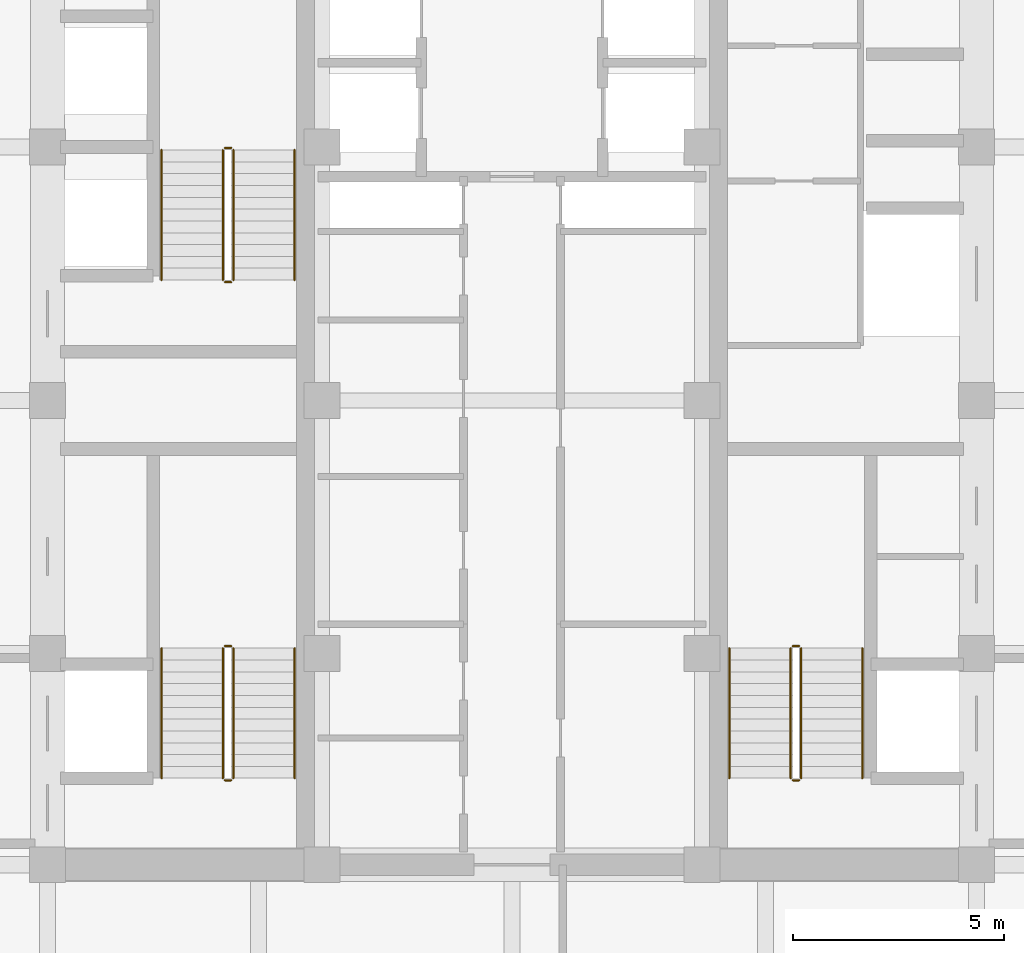
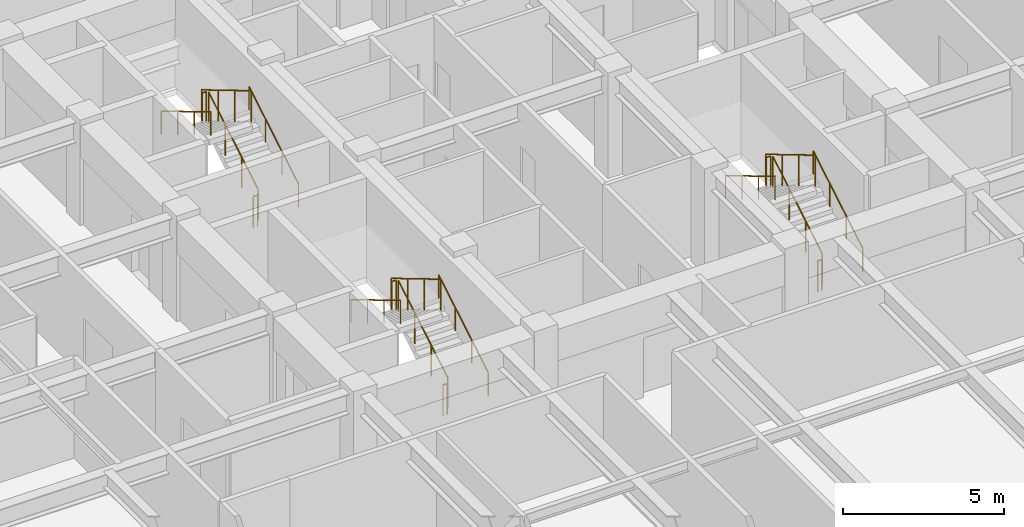
# One storey, part 24 of 24: 18 railings.
"""IFC4 building model written with IfcOpenShell, lengths in metres."""

from ifc_helpers import new_model, si_unit, direction, frame, origin, origin_2d, place, context, subcontext, project, spatial, circle, extrude, source, transform, mapped, material, type_object, element, save


model = new_model("IFC4")

# Units and contexts
model_context = context("Model", 3, precision=1e-05, world=origin(), true_north=direction((0.0, 1.0)))
body_context = subcontext(model_context, "Body", "Model", "MODEL_VIEW")
ifc_project = project(units=[si_unit("LENGTHUNIT", "METRE"), si_unit("AREAUNIT", "SQUARE_METRE"), si_unit("VOLUMEUNIT", "CUBIC_METRE"), si_unit("PLANEANGLEUNIT", "RADIAN"), si_unit("MASSUNIT", "GRAM", prefix="KILO")], contexts=[model_context])

# Site, building, storey
site_placement = place(None, origin())
site = spatial("IfcSite", under=ifc_project, at=site_placement, CompositionType="ELEMENT")
building_placement = place(site_placement, origin())
building = spatial("IfcBuilding", under=site, at=building_placement, Name="Khorayat Bourse Tower", CompositionType="ELEMENT")
storey_placement = place(building_placement, frame((0.0, 0.0, 175.10009765625)))
storey = spatial("IfcBuildingStorey", under=building, at=storey_placement, Name="L40", CompositionType="ELEMENT", Elevation=175.10009765625)

# Railings
ifc_material_1 = material(Name="Powder-coated steel balustrade", Category="steel")
railing_type_1 = type_object("IfcRailingType", Name="RLG-GUARD-1200", PredefinedType="GUARDRAIL", material=ifc_material_1)
shared_shape_1 = source(origin(), body_context, "Body", "SweptSolid", [
    extrude(circle(Radius=0.02392578125, at=origin_2d()), frame((0.0, 0.0, 1.17578125), z_axis=(-1.0, 0.0, 0.0), x_axis=(0.0, -1.0, 0.0)), (0.0, 0.0, 1.0), 0.150146484375),
    extrude(circle(Radius=0.02099609375, at=origin_2d()), origin(), (0.0, 0.0, 1.0), 1.15185546875),
    extrude(circle(Radius=0.02099609375, at=origin_2d()), frame((-0.150146484375, 0.0, 0.0)), (0.0, 0.0, 1.0), 1.15185546875),
])
for number, where, name in (
    (1, (-6.64990234375, -5.820068359375, 2.0), "L40 ST-1 stair guard 2"),
    (2, (-6.64990234375, -9.0, 0.0), "L40 ST-1 stair guard 4"),
    (3, (-6.64990234375, 5.97998046875, 2.0), "L40 ST-2 stair guard 2"),
    (4, (-6.64990234375, 2.800048828125, 0.0), "L40 ST-2 stair guard 4"),
    (5, (6.800048828125, -5.820068359375, 2.0), "L40 ST-3 stair guard 2"),
    (6, (6.800048828125, -9.0, 0.0), "L40 ST-3 stair guard 4"),
):
    element("IfcRailing", number, at=place(storey_placement, frame(where)), inside=storey, type_object=railing_type_1, Name=name, PredefinedType="GUARDRAIL", context=body_context, shape_type="MappedRepresentation", body=[
        mapped(shared_shape_1, transform((0.0, 0.0, 0.0), scale=1.0)),
    ])
shared_shape_2 = source(origin(), body_context, "Body", "SweptSolid", [
    extrude(circle(Radius=0.02392578125, at=origin_2d()), frame((0.0, 0.0, 1.17578125), z_axis=(0.0, 0.859260807169, 0.511537745687), x_axis=(-1.0, 0.0, 0.0)), (0.0, 0.0, 1.0), 3.584228515625),
    extrude(circle(Radius=0.02099609375, at=origin_2d()), origin(), (0.0, 0.0, 1.0), 1.15185546875),
    extrude(circle(Radius=0.02099609375, at=origin_2d()), frame((0.0, 1.026611328125, 0.611083984375)), (0.0, 0.0, 1.0), 1.15185546875),
    extrude(circle(Radius=0.02099609375, at=origin_2d()), frame((0.0, 2.05322265625, 1.222412109375)), (0.0, 0.0, 1.0), 1.15185546875),
    extrude(circle(Radius=0.02099609375, at=origin_2d()), frame((0.0, 3.079833984375, 1.83349609375)), (0.0, 0.0, 1.0), 1.15185546875),
])
for number, where, name in (
    (7, (-6.60009765625, -8.949951171875, 0.16650390625), "L40 ST-1 stair guard 1"),
    (8, (-6.60009765625, 2.85009765625, 0.16650390625), "L40 ST-2 stair guard 1"),
    (9, (6.85009765625, -8.949951171875, 0.16650390625), "L40 ST-3 stair guard 1"),
):
    element("IfcRailing", number, at=place(storey_placement, frame(where)), inside=storey, type_object=railing_type_1, Name=name, PredefinedType="GUARDRAIL", context=body_context, shape_type="MappedRepresentation", body=[
        mapped(shared_shape_2, transform((0.0, 0.0, 0.0), scale=1.0)),
    ])
shared_shape_3 = source(origin(), body_context, "Body", "SweptSolid", [
    extrude(circle(Radius=0.02392578125, at=origin_2d()), frame((0.0, 0.0, 1.17578125), z_axis=(0.0, -0.859260807169, 0.511537745687), x_axis=(1.0, 0.0, 0.0)), (0.0, 0.0, 1.0), 3.584228515625),
    extrude(circle(Radius=0.02099609375, at=origin_2d()), origin(), (0.0, 0.0, 1.0), 1.15185546875),
    extrude(circle(Radius=0.02099609375, at=origin_2d()), frame((0.0, -1.026611328125, 0.611083984375)), (0.0, 0.0, 1.0), 1.15185546875),
    extrude(circle(Radius=0.02099609375, at=origin_2d()), frame((0.0, -2.05322265625, 1.222412109375)), (0.0, 0.0, 1.0), 1.15185546875),
    extrude(circle(Radius=0.02099609375, at=origin_2d()), frame((0.0, -3.079833984375, 1.83349609375)), (0.0, 0.0, 1.0), 1.15185546875),
])
for number, where, name in (
    (10, (-6.85009765625, -5.8701171875, 2.16650390625), "L40 ST-1 stair guard 3"),
    (11, (-6.85009765625, 5.929931640625, 2.16650390625), "L40 ST-2 stair guard 3"),
    (12, (6.60009765625, -5.8701171875, 2.16650390625), "L40 ST-3 stair guard 3"),
):
    element("IfcRailing", number, at=place(storey_placement, frame(where)), inside=storey, type_object=railing_type_1, Name=name, PredefinedType="GUARDRAIL", context=body_context, shape_type="MappedRepresentation", body=[
        mapped(shared_shape_3, transform((0.0, 0.0, 0.0), scale=1.0)),
    ])
ifc_material_2 = material(Name="Brushed bronze stainless-steel handrail", Category="steel")
railing_type_2 = type_object("IfcRailingType", Name="RLG-HAND-900", PredefinedType="HANDRAIL", material=ifc_material_2)
shared_shape_4 = source(origin(), body_context, "Body", "SweptSolid", [
    extrude(circle(Radius=0.02392578125, at=origin_2d()), frame((0.0, 0.0, 0.8759765625), z_axis=(0.0, 0.859260807169, 0.511537745687), x_axis=(-1.0, 0.0, 0.0)), (0.0, 0.0, 1.0), 3.584228515625),
    extrude(circle(Radius=0.02099609375, at=origin_2d()), origin(), (0.0, 0.0, 1.0), 0.851806640625),
    extrude(circle(Radius=0.02099609375, at=origin_2d()), frame((0.0, 1.026611328125, 0.611083984375)), (0.0, 0.0, 1.0), 0.851806640625),
    extrude(circle(Radius=0.02099609375, at=origin_2d()), frame((0.0, 2.05322265625, 1.222412109375)), (0.0, 0.0, 1.0), 0.851806640625),
    extrude(circle(Radius=0.02099609375, at=origin_2d()), frame((0.0, 3.079833984375, 1.83349609375)), (0.0, 0.0, 1.0), 0.851806640625),
])
for number, where, name in (
    (13, (-5.14990234375, -8.949951171875, 0.16650390625), "L40 ST-1 stair handrail 1"),
    (14, (-5.14990234375, 2.85009765625, 0.16650390625), "L40 ST-2 stair handrail 1"),
    (15, (8.300048828125, -8.949951171875, 0.16650390625), "L40 ST-3 stair handrail 1"),
):
    element("IfcRailing", number, at=place(storey_placement, frame(where)), inside=storey, type_object=railing_type_2, Name=name, PredefinedType="HANDRAIL", context=body_context, shape_type="MappedRepresentation", body=[
        mapped(shared_shape_4, transform((0.0, 0.0, 0.0), scale=1.0)),
    ])
shared_shape_5 = source(origin(), body_context, "Body", "SweptSolid", [
    extrude(circle(Radius=0.02392578125, at=origin_2d()), frame((0.0, 0.0, 0.8759765625), z_axis=(0.0, -0.859260807169, 0.511537745687), x_axis=(1.0, 0.0, 0.0)), (0.0, 0.0, 1.0), 3.584228515625),
    extrude(circle(Radius=0.02099609375, at=origin_2d()), origin(), (0.0, 0.0, 1.0), 0.851806640625),
    extrude(circle(Radius=0.02099609375, at=origin_2d()), frame((0.0, -1.026611328125, 0.611083984375)), (0.0, 0.0, 1.0), 0.851806640625),
    extrude(circle(Radius=0.02099609375, at=origin_2d()), frame((0.0, -2.05322265625, 1.222412109375)), (0.0, 0.0, 1.0), 0.851806640625),
    extrude(circle(Radius=0.02099609375, at=origin_2d()), frame((0.0, -3.079833984375, 1.83349609375)), (0.0, 0.0, 1.0), 0.851806640625),
])
for number, where, name in (
    (16, (-8.300048828125, -5.8701171875, 2.16650390625), "L40 ST-1 stair handrail 2"),
    (17, (-8.300048828125, 5.929931640625, 2.16650390625), "L40 ST-2 stair handrail 2"),
    (18, (5.14990234375, -5.8701171875, 2.16650390625), "L40 ST-3 stair handrail 2"),
):
    element("IfcRailing", number, at=place(storey_placement, frame(where)), inside=storey, type_object=railing_type_2, Name=name, PredefinedType="HANDRAIL", context=body_context, shape_type="MappedRepresentation", body=[
        mapped(shared_shape_5, transform((0.0, 0.0, 0.0), scale=1.0)),
    ])

save(model, "model.ifc")
